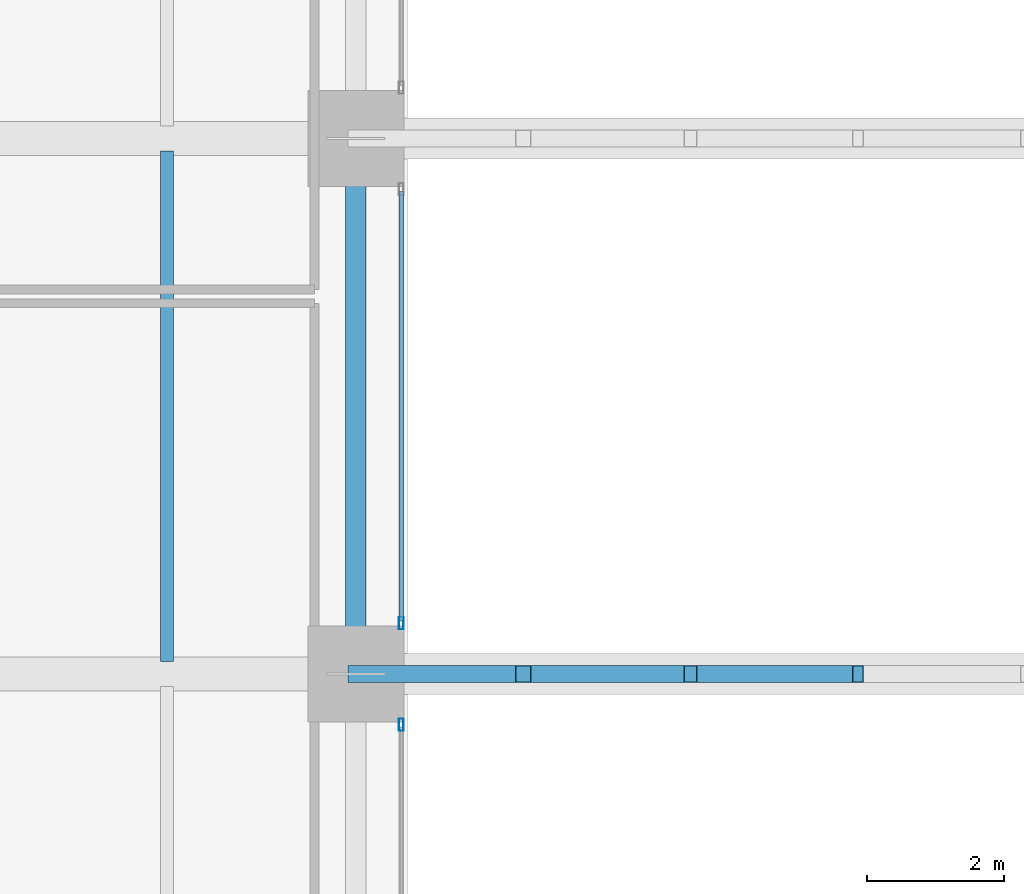
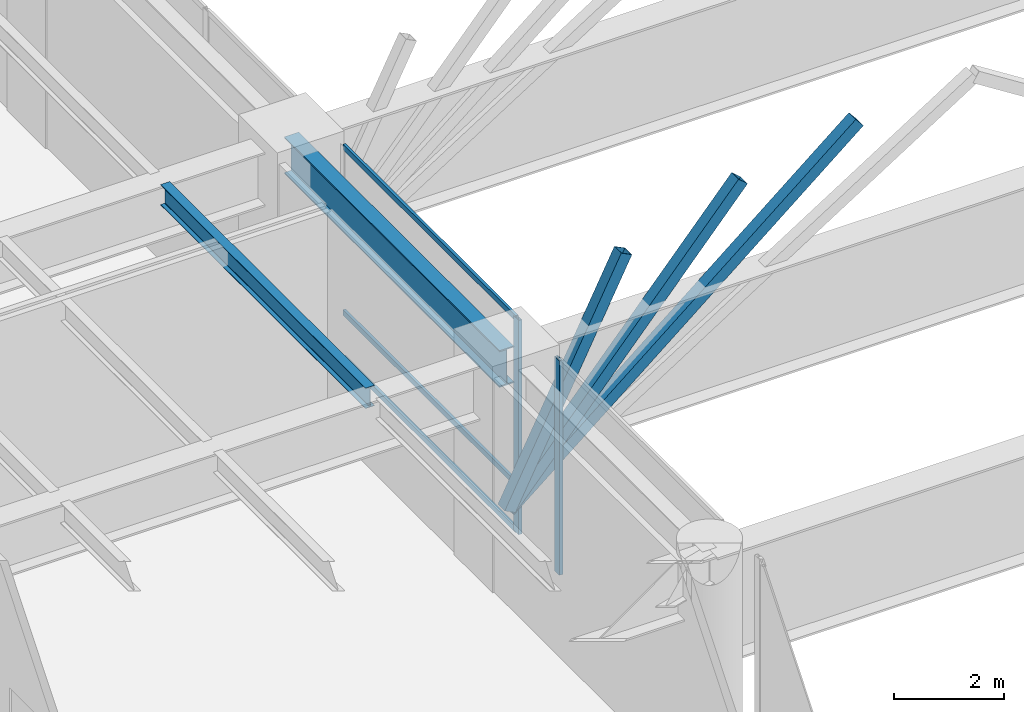
# One storey, part 9 of 39: 8 members, 2 beams, 2 elements without a shape of their own.
"""IFC4 building model written with IfcOpenShell, lengths in metres."""

from ifc_helpers import new_model, si_unit, direction, frame, origin, origin_2d, place, context, subcontext, project, spatial, hollow_rectangle, i_section, extrude, source, transform, mapped, material, layer, layer_set, material_profile, profile_set, type_object, type_shapes, element, aggregate, save


model = new_model("IFC4")

# Units and contexts
model_context = context("Model", 3, precision=1e-05, world=origin(), true_north=direction((0.0, 1.0)))
body_context = subcontext(model_context, "Body", "Model", "MODEL_VIEW")
ifc_project = project(units=[si_unit("LENGTHUNIT", "METRE"), si_unit("AREAUNIT", "SQUARE_METRE"), si_unit("VOLUMEUNIT", "CUBIC_METRE"), si_unit("PLANEANGLEUNIT", "RADIAN"), si_unit("MASSUNIT", "GRAM", prefix="KILO")], contexts=[model_context])

# Site, building, storey
site_placement = place(None, origin())
site = spatial("IfcSite", under=ifc_project, at=site_placement, CompositionType="ELEMENT")
building_placement = place(site_placement, origin())
building = spatial("IfcBuilding", under=site, at=building_placement, Name="Tolvann Quenvar Hotel", CompositionType="ELEMENT")
storey_placement = place(building_placement, frame((0.0, 0.0, 11.0)))
storey = spatial("IfcBuildingStorey", under=building, at=storey_placement, Name="L02", CompositionType="ELEMENT", Elevation=11.0)

# Beams
ifc_material_1 = material(Name="Steel Grade 350", Category="steel")
ifc_material_profile_1 = material_profile(ifc_material_1, i_section(OverallWidth=0.300048828125, OverallDepth=0.81591796875, WebThickness=0.010009765625, FlangeThickness=0.028076171875, at=origin_2d()), Name="800WB192")
ifc_profile_set_1 = profile_set([ifc_material_profile_1], Name="Steel Grade 350")
beam_type_1 = type_object("IfcBeamType", Name="BM_GIRD_800WB192", PredefinedType="BEAM", material=ifc_profile_set_1)
shared_shape_1 = source(origin(), body_context, "Body", "SweptSolid", [
    extrude(i_section(OverallWidth=0.300048828125, OverallDepth=0.81591796875, WebThickness=0.010009765625, FlangeThickness=0.028076171875, at=origin_2d()), origin(), (0.0, 0.0, 1.0), 7.800048828125),
])
type_shapes(beam_type_1, [shared_shape_1])
beam_1_placement = place(storey_placement, frame((18.75, 8.199951171875, 4.33203125), z_axis=(0.0, 1.0, 0.0), x_axis=(-1.0, 0.0, 0.0)))
element("IfcBeam", 1, at=beam_1_placement, inside=storey, type_object=beam_type_1, Name="BM-L02-NS-APW-1", PredefinedType="BEAM", context=body_context, shape_type="MappedRepresentation", body=[
    mapped(shared_shape_1, transform((0.0, 0.0, 0.0), x_axis=(1.0, 0.0, 0.0), y_axis=(0.0, 1.0, 0.0), z_axis=(0.0, 0.0, 1.0), scale=1.0)),
])
ifc_material_profile_2 = material_profile(ifc_material_1, i_section(OverallWidth=0.18994140625, OverallDepth=0.4541015625, WebThickness=0.008544921875, FlangeThickness=0.0126953125, FilletRadius=0.011474609375, at=origin_2d()), Name="460UB67")
ifc_profile_set_2 = profile_set([ifc_material_profile_2], Name="Steel Grade 350")
beam_type_2 = type_object("IfcBeamType", Name="BM_JOIST_460UB67", PredefinedType="JOIST", material=ifc_profile_set_2)
shared_shape_2 = source(origin(), body_context, "Body", "SweptSolid", [
    extrude(i_section(OverallWidth=0.18994140625, OverallDepth=0.4541015625, WebThickness=0.008544921875, FlangeThickness=0.0126953125, FilletRadius=0.011474609375, at=origin_2d()), origin(), (0.0, 0.0, 1.0), 7.429931640625),
])
type_shapes(beam_type_2, [shared_shape_2])
beam_2_placement = place(storey_placement, frame((16.0, 8.385009765625, 4.512939453125), z_axis=(0.0, 1.0, 0.0), x_axis=(-1.0, 0.0, 0.0)))
element("IfcBeam", 2, at=beam_2_placement, inside=storey, type_object=beam_type_2, Name="BJ-L02-160-82", PredefinedType="JOIST", context=body_context, shape_type="MappedRepresentation", body=[
    mapped(shared_shape_2, transform((0.0, 0.0, 0.0), x_axis=(1.0, 0.0, 0.0), y_axis=(0.0, 1.0, 0.0), z_axis=(0.0, 0.0, 1.0), scale=1.0)),
])

# Members
ifc_material_2 = material(Name="Steel Grade 450 (C450L0)", Category="steel")
ifc_material_profile_3 = material_profile(ifc_material_2, hollow_rectangle(XDim=0.25, YDim=0.25, WallThickness=0.010009765625, at=origin_2d()), Name="250x250x10SHS")
ifc_profile_set_3 = profile_set([ifc_material_profile_3], Name="Steel Grade 450 (C450L0)")
member_type_1 = type_object("IfcMemberType", Name="MEM_POST_250SHS", PredefinedType="POST", material=ifc_profile_set_3)
shared_shape_3 = source(origin(), body_context, "Body", "SweptSolid", [
    extrude(hollow_rectangle(XDim=0.25, YDim=0.25, WallThickness=0.010009765625, at=origin_2d()), origin(), (0.0, 0.0, 1.0), 5.42822265625),
])
member_1_placement = place(storey_placement, frame((18.75, 8.199951171875, 1.199951171875), z_axis=(0.449047704996, 0.0, 0.893507783199), x_axis=(0.0, 1.0, 0.0)))
element("IfcMember", 3, at=member_1_placement, inside=storey, type_object=member_type_1, Name="Arch Radial Support Strut F2-K1", PredefinedType="POST", context=body_context, shape_type="MappedRepresentation", body=[
    mapped(shared_shape_3, transform((0.0, 0.0, 0.0), x_axis=(1.0, 0.0, 0.0), y_axis=(0.0, 1.0, 0.0), z_axis=(0.0, 0.0, 1.0), scale=1.0)),
])
shared_shape_4 = source(origin(), body_context, "Body", "SweptSolid", [
    extrude(hollow_rectangle(XDim=0.25, YDim=0.25, WallThickness=0.010009765625, at=origin_2d()), origin(), (0.0, 0.0, 1.0), 7.4248046875),
])
member_2_placement = place(storey_placement, frame((18.75, 8.199951171875, 1.199951171875), z_axis=(0.656588918044, 0.0, 0.754248627909), x_axis=(0.0, 1.0, 0.0)))
element("IfcMember", 4, at=member_2_placement, inside=storey, type_object=member_type_1, Name="Arch Radial Support Strut F2-K2", PredefinedType="POST", context=body_context, shape_type="MappedRepresentation", body=[
    mapped(shared_shape_4, transform((0.0, 0.0, 0.0), x_axis=(1.0, 0.0, 0.0), y_axis=(0.0, 1.0, 0.0), z_axis=(0.0, 0.0, 1.0), scale=1.0)),
])
shared_shape_5 = source(origin(), body_context, "Body", "SweptSolid", [
    extrude(hollow_rectangle(XDim=0.25, YDim=0.25, WallThickness=0.010009765625, at=origin_2d()), origin(), (0.0, 0.0, 1.0), 9.49072265625),
])
type_shapes(member_type_1, [shared_shape_3, shared_shape_4, shared_shape_5])
member_3_placement = place(storey_placement, frame((18.75, 8.199951171875, 1.199951171875), z_axis=(0.770481016294, 0.0, 0.637462942868), x_axis=(0.0, 1.0, 0.0)))
element("IfcMember", 5, at=member_3_placement, inside=storey, type_object=member_type_1, Name="Arch Radial Support Strut F2-K3", PredefinedType="POST", context=body_context, shape_type="MappedRepresentation", body=[
    mapped(shared_shape_5, transform((0.0, 0.0, 0.0), x_axis=(1.0, 0.0, 0.0), y_axis=(0.0, 1.0, 0.0), z_axis=(0.0, 0.0, 1.0), scale=1.0)),
])

# Curtain wall, members
ifc_material_3 = material(Name="Thermally broken anodised architectural aluminium 6063-T6 and laminated low-E glass", Category="aluminium")
ifc_layer = layer(ifc_material_3, 0.179931640625)
ifc_layer_set = layer_set([ifc_layer], Name="Thermally broken anodised architectural aluminium 6063-T6 and laminated low-E glass")
curtain_wall_type = type_object("IfcCurtainWallType", Name="CW_SYS_ARCH_01", PredefinedType="USERDEFINED", material=ifc_layer_set)
curtain_wall_1_placement = place(storey_placement, origin())
curtain_wall_1 = element("IfcCurtainWall", 6, at=curtain_wall_1_placement, inside=storey, type_object=curtain_wall_type, Name="Curtain Wall CW-ARCH-01 (CWR-L02-E01-S3)", ObjectType="UNITISED CURTAIN WALL", PredefinedType="USERDEFINED")
ifc_material_4 = material(Name="Anodised architectural aluminium 6063-T6 framing", Category="aluminium")
ifc_material_profile_4 = material_profile(ifc_material_4, hollow_rectangle(XDim=0.06005859375, YDim=0.1201171875, WallThickness=0.00341796875, at=origin_2d()), Name="120x60x3.5RHS")
ifc_profile_set_4 = profile_set([ifc_material_profile_4], Name="Anodised architectural aluminium 6063-T6 framing")
member_type_2 = type_object("IfcMemberType", Name="CW_TRAN_120x60", PredefinedType="USERDEFINED", material=ifc_profile_set_4)
shared_shape_6 = source(origin(), body_context, "Body", "SweptSolid", [
    extrude(hollow_rectangle(XDim=0.06005859375, YDim=0.1201171875, WallThickness=0.00341796875, at=origin_2d()), origin(), (0.0, 0.0, 1.0), 6.251953125),
])
type_shapes(member_type_2, [shared_shape_6])
member_4_placement = place(storey_placement, frame((19.409912109375, 8.97412109375, 0.030029296875), z_axis=(0.0, 1.0, 0.0), x_axis=(-1.0, 0.0, 0.0)))
member_4 = element("IfcMember", 7, at=member_4_placement, type_object=member_type_2, Name="CW-ARCH-01 transom 1.1", ObjectType="TRANSOM", PredefinedType="USERDEFINED", context=body_context, shape_type="MappedRepresentation", body=[
    mapped(shared_shape_6, transform((0.0, 0.0, 0.0), x_axis=(1.0, 0.0, 0.0), y_axis=(0.0, 1.0, 0.0), z_axis=(0.0, 0.0, 1.0), scale=1.0)),
])
member_5_placement = place(storey_placement, frame((19.409912109375, 8.97412109375, 1.050048828125), z_axis=(0.0, 1.0, 0.0), x_axis=(-1.0, 0.0, 0.0)))
member_5 = element("IfcMember", 8, at=member_5_placement, type_object=member_type_2, Name="CW-ARCH-01 transom 1.2", ObjectType="TRANSOM", PredefinedType="USERDEFINED", context=body_context, shape_type="MappedRepresentation", body=[
    mapped(shared_shape_6, transform((0.0, 0.0, 0.0), x_axis=(1.0, 0.0, 0.0), y_axis=(0.0, 1.0, 0.0), z_axis=(0.0, 0.0, 1.0), scale=1.0)),
])
member_6_placement = place(storey_placement, frame((19.409912109375, 8.97412109375, 4.7099609375), z_axis=(0.0, 1.0, 0.0), x_axis=(-1.0, 0.0, 0.0)))
member_6 = element("IfcMember", 9, at=member_6_placement, type_object=member_type_2, Name="CW-ARCH-01 transom 1.3", ObjectType="TRANSOM", PredefinedType="USERDEFINED", context=body_context, shape_type="MappedRepresentation", body=[
    mapped(shared_shape_6, transform((0.0, 0.0, 0.0), x_axis=(1.0, 0.0, 0.0), y_axis=(0.0, 1.0, 0.0), z_axis=(0.0, 0.0, 1.0), scale=1.0)),
])

# Curtain wall, member
curtain_wall_2_placement = place(storey_placement, origin())
curtain_wall_2 = element("IfcCurtainWall", 10, at=curtain_wall_2_placement, inside=storey, type_object=curtain_wall_type, Name="Curtain Wall CW-ARCH-01 (CWR-L02-E01-S2)", ObjectType="UNITISED CURTAIN WALL", PredefinedType="USERDEFINED")
ifc_material_profile_5 = material_profile(ifc_material_4, hollow_rectangle(XDim=0.070068359375, YDim=0.179931640625, WallThickness=0.00390625, at=origin_2d()), Name="180x70x4RHS")
ifc_profile_set_5 = profile_set([ifc_material_profile_5], Name="Anodised architectural aluminium 6063-T6 framing")
member_type_3 = type_object("IfcMemberType", Name="CW_MULL_180x70", PredefinedType="MULLION", material=ifc_profile_set_5)
shared_shape_7 = source(origin(), body_context, "Body", "SweptSolid", [
    extrude(hollow_rectangle(XDim=0.070068359375, YDim=0.179931640625, WallThickness=0.00390625, at=origin_2d()), origin(), (0.0, 0.0, 1.0), 4.739990234375),
])
type_shapes(member_type_3, [shared_shape_7])
member_7_placement = place(storey_placement, frame((19.409912109375, 7.4609375, 0.0), z_axis=(0.0, 0.0, 1.0), x_axis=(-1.0, 0.0, 0.0)))
member_7 = element("IfcMember", 11, at=member_7_placement, type_object=member_type_3, Name="CW-ARCH-01 mullion 2", PredefinedType="MULLION", context=body_context, shape_type="MappedRepresentation", body=[
    mapped(shared_shape_7, transform((0.0, 0.0, 0.0), x_axis=(1.0, 0.0, 0.0), y_axis=(0.0, 1.0, 0.0), z_axis=(0.0, 0.0, 1.0), scale=1.0)),
])
aggregate(curtain_wall_2, [member_7])

# Member
member_8_placement = place(storey_placement, frame((19.409912109375, 8.93896484375, 0.0), z_axis=(0.0, 0.0, 1.0), x_axis=(-1.0, 0.0, 0.0)))
member_8 = element("IfcMember", 12, at=member_8_placement, type_object=member_type_3, Name="CW-ARCH-01 mullion 1", PredefinedType="MULLION", context=body_context, shape_type="MappedRepresentation", body=[
    mapped(shared_shape_7, transform((0.0, 0.0, 0.0), x_axis=(1.0, 0.0, 0.0), y_axis=(0.0, 1.0, 0.0), z_axis=(0.0, 0.0, 1.0), scale=1.0)),
])

aggregate(curtain_wall_1, [member_8, member_4, member_5, member_6])

save(model, "model.ifc")
